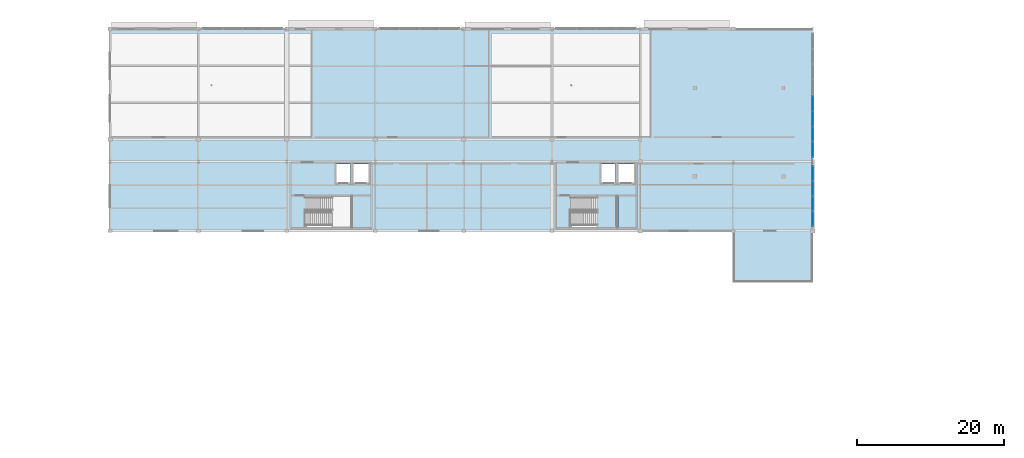
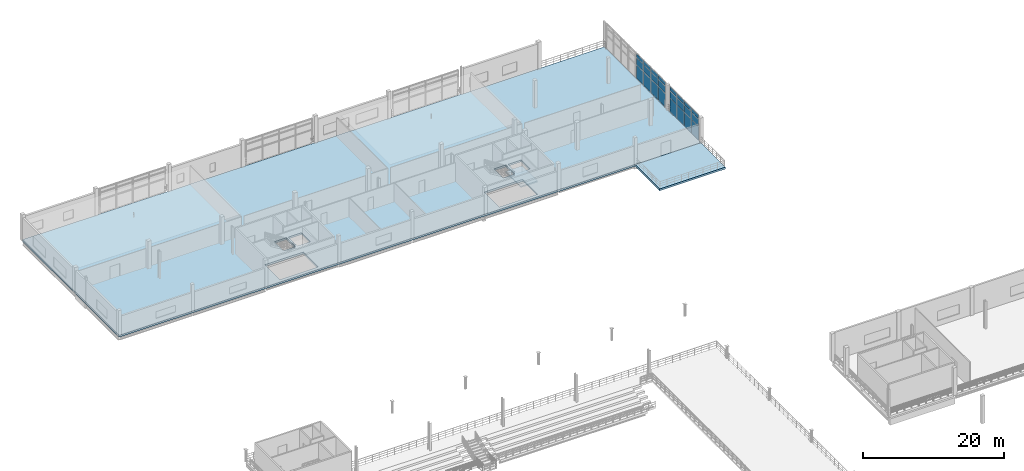
# One storey, part 31 of 52: 24 plates, 3 slabs, 3 elements without a shape of their own.
"""IFC4 building model written with IfcOpenShell, lengths in metres."""

from ifc_helpers import new_model, si_unit, direction, frame, origin, origin_2d, place, context, subcontext, project, spatial, polyline, rectangle, outline, extrude, material, layer, layer_set, type_object, element, aggregate, save


model = new_model("IFC4")

# Units and contexts
model_context = context("Model", 3, precision=1e-05, world=origin(), true_north=direction((0.0, 1.0)))
body_context = subcontext(model_context, "Body", "Model", "MODEL_VIEW")
ifc_project = project(units=[si_unit("LENGTHUNIT", "METRE"), si_unit("AREAUNIT", "SQUARE_METRE"), si_unit("VOLUMEUNIT", "CUBIC_METRE"), si_unit("PLANEANGLEUNIT", "RADIAN"), si_unit("MASSUNIT", "GRAM", prefix="KILO"), si_unit("THERMODYNAMICTEMPERATUREUNIT", "KELVIN"), si_unit("POWERUNIT", "WATT")], contexts=[model_context])

# Site, building, storey
site_placement = place(None, origin())
site = spatial("IfcSite", under=ifc_project, at=site_placement, CompositionType="ELEMENT")
building_placement = place(site_placement, origin())
building = spatial("IfcBuilding", under=site, at=building_placement, Name="Solmara Park Aquatics Centre", CompositionType="ELEMENT")
storey_placement = place(building_placement, frame((0.0, 0.0, 9.60009765625)))
storey = spatial("IfcBuildingStorey", under=building, at=storey_placement, Name="L02", CompositionType="ELEMENT", Elevation=9.60009765625)

# Curtain wall, plates
ifc_material_1 = material(Name="Anodised Aluminium Curtain Wall Framing", Category="aluminium")
curtain_wall_type = type_object("IfcCurtainWallType", Name="ARC-CW-SYS06", PredefinedType="USERDEFINED", material=ifc_material_1)
curtain_wall_1_placement = place(storey_placement, origin())
curtain_wall_1 = element("IfcCurtainWall", 1, at=curtain_wall_1_placement, inside=storey, type_object=curtain_wall_type, Name="Curtain Wall CW-127", ObjectType="CURTAIN WALL", PredefinedType="USERDEFINED")
ifc_material_2 = material(Name="Double Low-E Solar-Control Glazing", Category="glass")
ifc_layer_1 = layer(ifc_material_2, 0.035888671875, Name="Double Low-E Solar-Control Glazing")
ifc_layer_set_1 = layer_set([ifc_layer_1], Name="Double Low-E Solar-Control Glazing")
plate_type_1 = type_object("IfcPlateType", Name="ARC-CWP-GLZ36-1960x1200", PredefinedType="CURTAIN_PANEL", material=ifc_layer_set_1)
plate_1_placement = place(storey_placement, frame((120.0, 110.205078125, 2.48974609375), z_axis=(0.0, 0.0, 1.0), x_axis=(0.0, 1.0, 0.0)))
plate_1 = element("IfcPlate", 2, at=plate_1_placement, type_object=plate_type_1, Name="CW-127 panel 2", PredefinedType="CURTAIN_PANEL", context=body_context, shape_type="SweptSolid", body=[
    extrude(rectangle(XDim=1.969970703125, YDim=0.035888671875, at=origin_2d()), origin(), (0.0, 0.0, 1.0), 1.199951171875),
])
plate_2_placement = place(storey_placement, frame((120.0, 112.2548828125, 2.48974609375), z_axis=(0.0, 0.0, 1.0), x_axis=(0.0, 1.0, 0.0)))
plate_2 = element("IfcPlate", 3, at=plate_2_placement, type_object=plate_type_1, Name="CW-127 panel 5", PredefinedType="CURTAIN_PANEL", context=body_context, shape_type="SweptSolid", body=[
    extrude(rectangle(XDim=1.969970703125, YDim=0.035888671875, at=origin_2d()), origin(), (0.0, 0.0, 1.0), 1.199951171875),
])
plate_3_placement = place(storey_placement, frame((120.0, 116.35498046875, 2.48974609375), z_axis=(0.0, 0.0, 1.0), x_axis=(0.0, 1.0, 0.0)))
plate_3 = element("IfcPlate", 4, at=plate_3_placement, type_object=plate_type_1, Name="CW-127 panel 11", PredefinedType="CURTAIN_PANEL", context=body_context, shape_type="SweptSolid", body=[
    extrude(rectangle(XDim=1.969970703125, YDim=0.035888671875, at=origin_2d()), origin(), (0.0, 0.0, 1.0), 1.199951171875),
])
ifc_layer_2 = layer(ifc_material_2, 0.035888671875, Name="Double Low-E Solar-Control Glazing")
ifc_layer_set_2 = layer_set([ifc_layer_2], Name="Double Low-E Solar-Control Glazing")
plate_type_2 = type_object("IfcPlateType", Name="ARC-CWP-GLZ36-1960x2320", PredefinedType="CURTAIN_PANEL", material=ifc_layer_set_2)
plate_4_placement = place(storey_placement, frame((120.0, 110.205078125, 0.079833984375), z_axis=(0.0, 0.0, 1.0), x_axis=(0.0, 1.0, 0.0)))
plate_4 = element("IfcPlate", 5, at=plate_4_placement, type_object=plate_type_2, Name="CW-127 panel 1", PredefinedType="CURTAIN_PANEL", context=body_context, shape_type="SweptSolid", body=[
    extrude(rectangle(XDim=1.969970703125, YDim=0.035888671875, at=origin_2d()), origin(), (0.0, 0.0, 1.0), 2.330078125),
])
plate_5_placement = place(storey_placement, frame((120.0, 112.2548828125, 0.079833984375), z_axis=(0.0, 0.0, 1.0), x_axis=(0.0, 1.0, 0.0)))
plate_5 = element("IfcPlate", 6, at=plate_5_placement, type_object=plate_type_2, Name="CW-127 panel 4", PredefinedType="CURTAIN_PANEL", context=body_context, shape_type="SweptSolid", body=[
    extrude(rectangle(XDim=1.969970703125, YDim=0.035888671875, at=origin_2d()), origin(), (0.0, 0.0, 1.0), 2.330078125),
])
plate_6_placement = place(storey_placement, frame((120.0, 116.35498046875, 0.079833984375), z_axis=(0.0, 0.0, 1.0), x_axis=(0.0, 1.0, 0.0)))
plate_6 = element("IfcPlate", 7, at=plate_6_placement, type_object=plate_type_2, Name="CW-127 panel 10", PredefinedType="CURTAIN_PANEL", context=body_context, shape_type="SweptSolid", body=[
    extrude(rectangle(XDim=1.969970703125, YDim=0.035888671875, at=origin_2d()), origin(), (0.0, 0.0, 1.0), 2.330078125),
])
ifc_layer_3 = layer(ifc_material_2, 0.035888671875, Name="Double Low-E Solar-Control Glazing")
ifc_layer_set_3 = layer_set([ifc_layer_3], Name="Double Low-E Solar-Control Glazing")
plate_type_3 = type_object("IfcPlateType", Name="ARC-CWP-GLZ36-1980x1200", PredefinedType="CURTAIN_PANEL", material=ifc_layer_set_3)
plate_7_placement = place(storey_placement, frame((120.0, 114.304931640625, 2.48974609375), z_axis=(0.0, 0.0, 1.0), x_axis=(0.0, 1.0, 0.0)))
plate_7 = element("IfcPlate", 8, at=plate_7_placement, type_object=plate_type_3, Name="CW-127 panel 8", PredefinedType="CURTAIN_PANEL", context=body_context, shape_type="SweptSolid", body=[
    extrude(rectangle(XDim=1.969970703125, YDim=0.035888671875, at=origin_2d()), origin(), (0.0, 0.0, 1.0), 1.199951171875),
])
ifc_layer_4 = layer(ifc_material_2, 0.035888671875, Name="Double Low-E Solar-Control Glazing")
ifc_layer_set_4 = layer_set([ifc_layer_4], Name="Double Low-E Solar-Control Glazing")
plate_type_4 = type_object("IfcPlateType", Name="ARC-CWP-GLZ36-1980x2320", PredefinedType="CURTAIN_PANEL", material=ifc_layer_set_4)
plate_8_placement = place(storey_placement, frame((120.0, 114.304931640625, 0.079833984375), z_axis=(0.0, 0.0, 1.0), x_axis=(0.0, 1.0, 0.0)))
plate_8 = element("IfcPlate", 9, at=plate_8_placement, type_object=plate_type_4, Name="CW-127 panel 7", PredefinedType="CURTAIN_PANEL", context=body_context, shape_type="SweptSolid", body=[
    extrude(rectangle(XDim=1.969970703125, YDim=0.035888671875, at=origin_2d()), origin(), (0.0, 0.0, 1.0), 2.330078125),
])

curtain_wall_2_placement = place(storey_placement, origin())
curtain_wall_2 = element("IfcCurtainWall", 10, at=curtain_wall_2_placement, inside=storey, type_object=curtain_wall_type, Name="Curtain Wall CW-128", ObjectType="CURTAIN WALL", PredefinedType="USERDEFINED")
ifc_layer_5 = layer(ifc_material_2, 0.035888671875, Name="Double Low-E Solar-Control Glazing")
ifc_layer_set_5 = layer_set([ifc_layer_5], Name="Double Low-E Solar-Control Glazing")
plate_type_5 = type_object("IfcPlateType", Name="ARC-CWP-GLZ36-2000x1200", PredefinedType="CURTAIN_PANEL", material=ifc_layer_set_5)
plate_9_placement = place(storey_placement, frame((120.0, 119.625, 2.48974609375), z_axis=(0.0, 0.0, 1.0), x_axis=(0.0, 1.0, 0.0)))
plate_9 = element("IfcPlate", 11, at=plate_9_placement, type_object=plate_type_5, Name="CW-128 panel 2", PredefinedType="CURTAIN_PANEL", context=body_context, shape_type="SweptSolid", body=[
    extrude(rectangle(XDim=2.010009765625, YDim=0.035888671875, at=origin_2d()), origin(), (0.0, 0.0, 1.0), 1.199951171875),
])
ifc_layer_6 = layer(ifc_material_2, 0.035888671875, Name="Double Low-E Solar-Control Glazing")
ifc_layer_set_6 = layer_set([ifc_layer_6], Name="Double Low-E Solar-Control Glazing")
plate_type_6 = type_object("IfcPlateType", Name="ARC-CWP-GLZ36-2000x2320", PredefinedType="CURTAIN_PANEL", material=ifc_layer_set_6)
plate_10_placement = place(storey_placement, frame((120.0, 119.625, 0.079833984375), z_axis=(0.0, 0.0, 1.0), x_axis=(0.0, 1.0, 0.0)))
plate_10 = element("IfcPlate", 12, at=plate_10_placement, type_object=plate_type_6, Name="CW-128 panel 1", PredefinedType="CURTAIN_PANEL", context=body_context, shape_type="SweptSolid", body=[
    extrude(rectangle(XDim=2.010009765625, YDim=0.035888671875, at=origin_2d()), origin(), (0.0, 0.0, 1.0), 2.330078125),
])
ifc_layer_7 = layer(ifc_material_2, 0.035888671875, Name="Double Low-E Solar-Control Glazing")
ifc_layer_set_7 = layer_set([ifc_layer_7], Name="Double Low-E Solar-Control Glazing")
plate_type_7 = type_object("IfcPlateType", Name="ARC-CWP-GLZ36-2020x1200", PredefinedType="CURTAIN_PANEL", material=ifc_layer_set_7)
plate_11_placement = place(storey_placement, frame((120.0, 121.715087890625, 2.48974609375), z_axis=(0.0, 0.0, 1.0), x_axis=(0.0, 1.0, 0.0)))
plate_11 = element("IfcPlate", 13, at=plate_11_placement, type_object=plate_type_7, Name="CW-128 panel 5", PredefinedType="CURTAIN_PANEL", context=body_context, shape_type="SweptSolid", body=[
    extrude(rectangle(XDim=2.010009765625, YDim=0.035888671875, at=origin_2d()), origin(), (0.0, 0.0, 1.0), 1.199951171875),
])
plate_12_placement = place(storey_placement, frame((120.0, 123.804931640625, 2.48974609375), z_axis=(0.0, 0.0, 1.0), x_axis=(0.0, 1.0, 0.0)))
plate_12 = element("IfcPlate", 14, at=plate_12_placement, type_object=plate_type_7, Name="CW-128 panel 8", PredefinedType="CURTAIN_PANEL", context=body_context, shape_type="SweptSolid", body=[
    extrude(rectangle(XDim=2.010009765625, YDim=0.035888671875, at=origin_2d()), origin(), (0.0, 0.0, 1.0), 1.199951171875),
])
plate_13_placement = place(storey_placement, frame((120.0, 125.89501953125, 2.48974609375), z_axis=(0.0, 0.0, 1.0), x_axis=(0.0, 1.0, 0.0)))
plate_13 = element("IfcPlate", 15, at=plate_13_placement, type_object=plate_type_7, Name="CW-128 panel 11", PredefinedType="CURTAIN_PANEL", context=body_context, shape_type="SweptSolid", body=[
    extrude(rectangle(XDim=2.010009765625, YDim=0.035888671875, at=origin_2d()), origin(), (0.0, 0.0, 1.0), 1.199951171875),
])
ifc_layer_8 = layer(ifc_material_2, 0.035888671875, Name="Double Low-E Solar-Control Glazing")
ifc_layer_set_8 = layer_set([ifc_layer_8], Name="Double Low-E Solar-Control Glazing")
plate_type_8 = type_object("IfcPlateType", Name="ARC-CWP-GLZ36-2020x2320", PredefinedType="CURTAIN_PANEL", material=ifc_layer_set_8)
plate_14_placement = place(storey_placement, frame((120.0, 121.715087890625, 0.079833984375), z_axis=(0.0, 0.0, 1.0), x_axis=(0.0, 1.0, 0.0)))
plate_14 = element("IfcPlate", 16, at=plate_14_placement, type_object=plate_type_8, Name="CW-128 panel 4", PredefinedType="CURTAIN_PANEL", context=body_context, shape_type="SweptSolid", body=[
    extrude(rectangle(XDim=2.010009765625, YDim=0.035888671875, at=origin_2d()), origin(), (0.0, 0.0, 1.0), 2.330078125),
])
plate_15_placement = place(storey_placement, frame((120.0, 123.804931640625, 0.079833984375), z_axis=(0.0, 0.0, 1.0), x_axis=(0.0, 1.0, 0.0)))
plate_15 = element("IfcPlate", 17, at=plate_15_placement, type_object=plate_type_8, Name="CW-128 panel 7", PredefinedType="CURTAIN_PANEL", context=body_context, shape_type="SweptSolid", body=[
    extrude(rectangle(XDim=2.010009765625, YDim=0.035888671875, at=origin_2d()), origin(), (0.0, 0.0, 1.0), 2.330078125),
])
plate_16_placement = place(storey_placement, frame((120.0, 125.89501953125, 0.079833984375), z_axis=(0.0, 0.0, 1.0), x_axis=(0.0, 1.0, 0.0)))
plate_16 = element("IfcPlate", 18, at=plate_16_placement, type_object=plate_type_8, Name="CW-128 panel 10", PredefinedType="CURTAIN_PANEL", context=body_context, shape_type="SweptSolid", body=[
    extrude(rectangle(XDim=2.010009765625, YDim=0.035888671875, at=origin_2d()), origin(), (0.0, 0.0, 1.0), 2.330078125),
])
ifc_material_3 = material(Name="Golden-Ochre Enamelled Aluminium Fascia Panel", Category="aluminium")
ifc_layer_9 = layer(ifc_material_3, 0.0400390625, Name="Golden-Ochre Enamelled Aluminium Fascia Panel")
ifc_layer_set_9 = layer_set([ifc_layer_9], Name="Golden-Ochre Enamelled Aluminium Fascia Panel")
plate_type_9 = type_object("IfcPlateType", Name="ARC-CWP-OCH40-2000x640", PredefinedType="CURTAIN_PANEL", material=ifc_layer_set_9)
plate_17_placement = place(storey_placement, frame((120.0, 119.625, 3.77001953125), z_axis=(0.0, 0.0, 1.0), x_axis=(0.0, 1.0, 0.0)))
plate_17 = element("IfcPlate", 19, at=plate_17_placement, type_object=plate_type_9, Name="CW-128 panel 3", PredefinedType="CURTAIN_PANEL", context=body_context, shape_type="SweptSolid", body=[
    extrude(rectangle(XDim=2.010009765625, YDim=0.0400390625, at=origin_2d()), origin(), (0.0, 0.0, 1.0), 0.6298828125),
])
ifc_layer_10 = layer(ifc_material_3, 0.0400390625, Name="Golden-Ochre Enamelled Aluminium Fascia Panel")
ifc_layer_set_10 = layer_set([ifc_layer_10], Name="Golden-Ochre Enamelled Aluminium Fascia Panel")
plate_type_10 = type_object("IfcPlateType", Name="ARC-CWP-OCH40-2020x640", PredefinedType="CURTAIN_PANEL", material=ifc_layer_set_10)
plate_18_placement = place(storey_placement, frame((120.0, 121.715087890625, 3.77001953125), z_axis=(0.0, 0.0, 1.0), x_axis=(0.0, 1.0, 0.0)))
plate_18 = element("IfcPlate", 20, at=plate_18_placement, type_object=plate_type_10, Name="CW-128 panel 6", PredefinedType="CURTAIN_PANEL", context=body_context, shape_type="SweptSolid", body=[
    extrude(rectangle(XDim=2.010009765625, YDim=0.0400390625, at=origin_2d()), origin(), (0.0, 0.0, 1.0), 0.6298828125),
])
plate_19_placement = place(storey_placement, frame((120.0, 123.804931640625, 3.77001953125), z_axis=(0.0, 0.0, 1.0), x_axis=(0.0, 1.0, 0.0)))
plate_19 = element("IfcPlate", 21, at=plate_19_placement, type_object=plate_type_10, Name="CW-128 panel 9", PredefinedType="CURTAIN_PANEL", context=body_context, shape_type="SweptSolid", body=[
    extrude(rectangle(XDim=2.010009765625, YDim=0.0400390625, at=origin_2d()), origin(), (0.0, 0.0, 1.0), 0.6298828125),
])
plate_20_placement = place(storey_placement, frame((120.0, 125.89501953125, 3.77001953125), z_axis=(0.0, 0.0, 1.0), x_axis=(0.0, 1.0, 0.0)))
plate_20 = element("IfcPlate", 22, at=plate_20_placement, type_object=plate_type_10, Name="CW-128 panel 12", PredefinedType="CURTAIN_PANEL", context=body_context, shape_type="SweptSolid", body=[
    extrude(rectangle(XDim=2.010009765625, YDim=0.0400390625, at=origin_2d()), origin(), (0.0, 0.0, 1.0), 0.6298828125),
])
aggregate(curtain_wall_2, [plate_10, plate_9, plate_17, plate_14, plate_11, plate_18, plate_15, plate_12, plate_19, plate_16, plate_13, plate_20])

# Plate
ifc_material_4 = material(Name="Insulated Anodised Aluminium Spandrel Panel", Category="aluminium")
ifc_layer_11 = layer(ifc_material_4, 0.0439453125, Name="Insulated Anodised Aluminium Spandrel Panel")
ifc_layer_set_11 = layer_set([ifc_layer_11], Name="Insulated Anodised Aluminium Spandrel Panel")
plate_type_11 = type_object("IfcPlateType", Name="ARC-CWP-SPN44-1960x640", PredefinedType="CURTAIN_PANEL", material=ifc_layer_set_11)
plate_21_placement = place(storey_placement, frame((120.0, 110.205078125, 3.77001953125), z_axis=(0.0, 0.0, 1.0), x_axis=(0.0, 1.0, 0.0)))
plate_21 = element("IfcPlate", 23, at=plate_21_placement, type_object=plate_type_11, Name="CW-127 panel 3", PredefinedType="CURTAIN_PANEL", context=body_context, shape_type="SweptSolid", body=[
    extrude(rectangle(XDim=1.969970703125, YDim=0.0439453125, at=origin_2d()), origin(), (0.0, 0.0, 1.0), 0.6298828125),
])

plate_22_placement = place(storey_placement, frame((120.0, 112.2548828125, 3.77001953125), z_axis=(0.0, 0.0, 1.0), x_axis=(0.0, 1.0, 0.0)))
plate_22 = element("IfcPlate", 24, at=plate_22_placement, type_object=plate_type_11, Name="CW-127 panel 6", PredefinedType="CURTAIN_PANEL", context=body_context, shape_type="SweptSolid", body=[
    extrude(rectangle(XDim=1.969970703125, YDim=0.0439453125, at=origin_2d()), origin(), (0.0, 0.0, 1.0), 0.6298828125),
])

plate_23_placement = place(storey_placement, frame((120.0, 116.35498046875, 3.77001953125), z_axis=(0.0, 0.0, 1.0), x_axis=(0.0, 1.0, 0.0)))
plate_23 = element("IfcPlate", 25, at=plate_23_placement, type_object=plate_type_11, Name="CW-127 panel 12", PredefinedType="CURTAIN_PANEL", context=body_context, shape_type="SweptSolid", body=[
    extrude(rectangle(XDim=1.969970703125, YDim=0.0439453125, at=origin_2d()), origin(), (0.0, 0.0, 1.0), 0.6298828125),
])

ifc_layer_12 = layer(ifc_material_4, 0.0439453125, Name="Insulated Anodised Aluminium Spandrel Panel")
ifc_layer_set_12 = layer_set([ifc_layer_12], Name="Insulated Anodised Aluminium Spandrel Panel")
plate_type_12 = type_object("IfcPlateType", Name="ARC-CWP-SPN44-1980x640", PredefinedType="CURTAIN_PANEL", material=ifc_layer_set_12)
plate_24_placement = place(storey_placement, frame((120.0, 114.304931640625, 3.77001953125), z_axis=(0.0, 0.0, 1.0), x_axis=(0.0, 1.0, 0.0)))
plate_24 = element("IfcPlate", 26, at=plate_24_placement, type_object=plate_type_12, Name="CW-127 panel 9", PredefinedType="CURTAIN_PANEL", context=body_context, shape_type="SweptSolid", body=[
    extrude(rectangle(XDim=1.969970703125, YDim=0.0439453125, at=origin_2d()), origin(), (0.0, 0.0, 1.0), 0.6298828125),
])

aggregate(curtain_wall_1, [plate_4, plate_1, plate_21, plate_5, plate_2, plate_22, plate_8, plate_7, plate_24, plate_6, plate_3, plate_23])

# Stair, slab
ifc_material_5 = material(Name="Concrete C40/50", Category="concrete")
stair_type = type_object("IfcStairType", Name="ARC-ST-CORE", PredefinedType="HALF_TURN_STAIR", material=ifc_material_5)
stair_placement = place(storey_placement, origin())
stair = element("IfcStair", 27, at=stair_placement, inside=storey, type_object=stair_type, Name="ST-02 Protected Exit Stair (L02 to L03)", PredefinedType="HALF_TURN_STAIR")
ifc_layer_13 = layer(ifc_material_5, 0.219970703125, Name="Concrete C40/50")
ifc_layer_set_13 = layer_set([ifc_layer_13], Name="Concrete C40/50")
slab_type_1 = type_object("IfcSlabType", Name="ARC-SLB-LND220", PredefinedType="LANDING", material=ifc_layer_set_13)
slab_1_placement = place(storey_placement, frame((0.0, 0.0, 2.179931640625)))
slab_1 = element("IfcSlab", 28, at=slab_1_placement, type_object=slab_type_1, Name="ST-02 landing 1", PredefinedType="LANDING", context=body_context, shape_type="SweptSolid", body=[
    extrude(outline(polyline([(90.719970703125, 109.030029296875), (93.47998046875, 109.030029296875), (93.47998046875, 113.3701171875), (90.719970703125, 113.3701171875), (90.719970703125, 109.030029296875)])), origin(), (0.0, 0.0, 1.0), 0.219970703125),
])
aggregate(stair, [slab_1])

# Slabs
ifc_layer_14 = layer(ifc_material_5, 0.320068359375, Name="Concrete C40/50")
ifc_layer_set_14 = layer_set([ifc_layer_14], Name="Concrete C40/50")
slab_type_2 = type_object("IfcSlabType", Name="STR-SLB-GYM320", PredefinedType="FLOOR", material=ifc_layer_set_14)
slab_2_placement = place(storey_placement, frame((0.0, 0.0, -0.320068359375)))
element("IfcSlab", 29, at=slab_2_placement, inside=storey, type_object=slab_type_2, Name="Sports-Medicine & Physio Wing L02 Floor Slab", PredefinedType="FLOOR", context=body_context, shape_type="SweptSolid", body=[
    extrude(outline(polyline([(24.60009765625, 108.60009765625), (120.0, 108.60009765625), (120.0, 136.0), (24.60009765625, 136.0), (24.60009765625, 108.60009765625)]), holes=[polyline([(51.25, 109.1298828125), (57.550048828125, 109.1298828125), (57.550048828125, 113.3701171875), (51.25, 113.3701171875), (51.25, 109.1298828125)]), polyline([(57.60009765625, 115.10009765625), (59.75, 115.10009765625), (59.75, 117.64990234375), (57.60009765625, 117.64990234375), (57.60009765625, 115.10009765625)]), polyline([(55.300048828125, 115.10009765625), (57.25, 115.10009765625), (57.25, 117.64990234375), (55.300048828125, 117.64990234375), (55.300048828125, 115.10009765625)]), polyline([(87.25, 109.1298828125), (93.550048828125, 109.1298828125), (93.550048828125, 113.3701171875), (87.25, 113.3701171875), (87.25, 109.1298828125)]), polyline([(93.60009765625, 115.10009765625), (95.75, 115.10009765625), (95.75, 117.64990234375), (93.60009765625, 117.64990234375), (93.60009765625, 115.10009765625)]), polyline([(91.300048828125, 115.10009765625), (93.25, 115.10009765625), (93.25, 117.64990234375), (91.300048828125, 117.64990234375), (91.300048828125, 115.10009765625)])]), origin(), (0.0, 0.0, 1.0), 0.320068359375),
])
slab_3_placement = place(storey_placement, frame((0.0, 0.0, -0.320068359375)))
element("IfcSlab", 30, at=slab_3_placement, inside=storey, type_object=slab_type_2, Name="L02 Oasis Court Rehab Terrace Slab", PredefinedType="FLOOR", context=body_context, shape_type="SweptSolid", body=[
    extrude(outline(polyline([(109.199951171875, 101.60009765625), (120.0, 101.60009765625), (120.0, 108.60009765625), (109.199951171875, 108.60009765625), (109.199951171875, 101.60009765625)])), origin(), (0.0, 0.0, 1.0), 0.320068359375),
])

save(model, "model.ifc")
